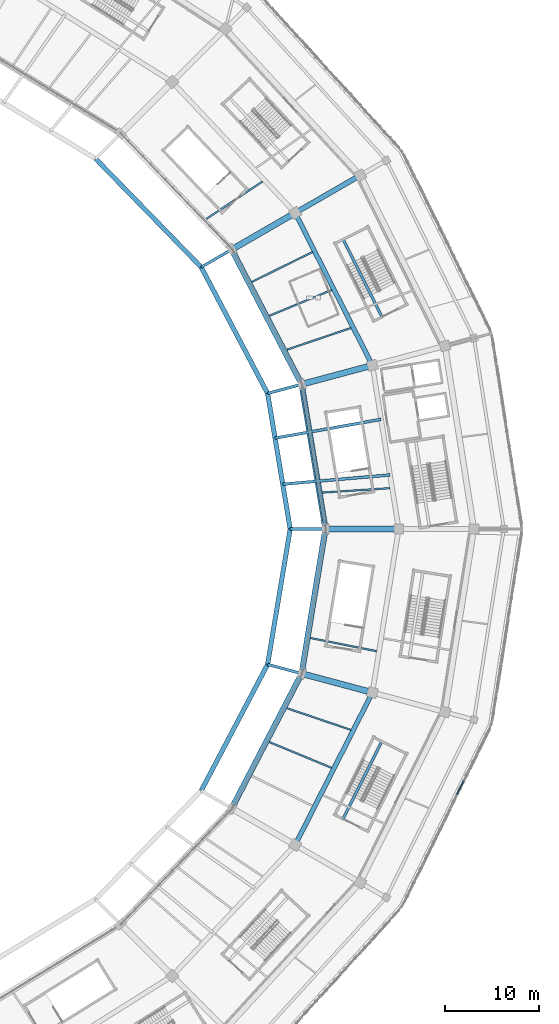
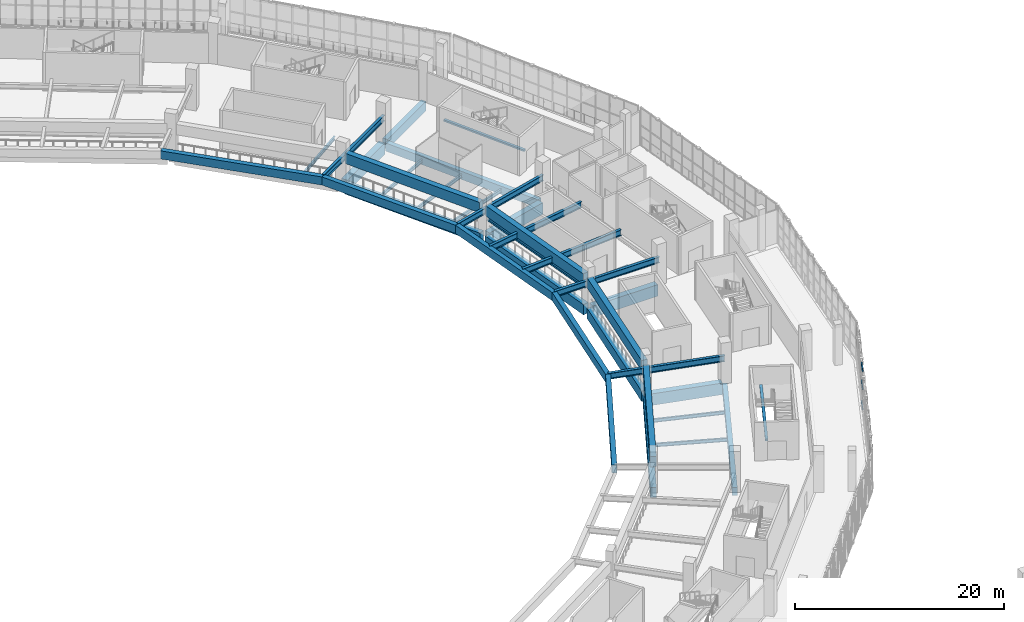
# One storey, part 40 of 179: 37 beams, 3 members, 1 element without a shape of its own.
"""IFC4 building model written with IfcOpenShell, lengths in metres."""

from ifc_helpers import new_model, si_unit, direction, frame, origin, origin_2d, place, context, subcontext, project, spatial, rectangle, i_section, extrude, material, material_profile, profile_set, type_object, element, aggregate, save


model = new_model("IFC4")

# Units and contexts
model_context = context("Model", 3, precision=1e-05, world=origin(), true_north=direction((0.0, 1.0)))
body_context = subcontext(model_context, "Body", "Model", "MODEL_VIEW")
ifc_project = project(units=[si_unit("LENGTHUNIT", "METRE"), si_unit("AREAUNIT", "SQUARE_METRE"), si_unit("VOLUMEUNIT", "CUBIC_METRE"), si_unit("PLANEANGLEUNIT", "RADIAN"), si_unit("MASSUNIT", "GRAM", prefix="KILO")], contexts=[model_context])

# Site, building, storey
site_placement = place(None, origin())
site = spatial("IfcSite", under=ifc_project, at=site_placement, CompositionType="ELEMENT")
building_placement = place(site_placement, origin())
building = spatial("IfcBuilding", under=site, at=building_placement, Name="Zevraka Park Crest Stadium", CompositionType="ELEMENT")
storey_placement = place(building_placement, frame((0.0, 0.0, 10.199951171875)))
storey = spatial("IfcBuildingStorey", under=building, at=storey_placement, Name="L02", CompositionType="ELEMENT", Elevation=10.199951171875)

# Beams
ifc_material_1 = material(Name="Concrete C40/50", Category="concrete")
ifc_material_profile_1 = material_profile(ifc_material_1, rectangle(XDim=0.64990234375, YDim=1.35009765625, at=origin_2d()), Name="RC 1350x650")
ifc_profile_set_1 = profile_set([ifc_material_profile_1], Name="Concrete C40/50")
beam_type_1 = type_object("IfcBeamType", Name="BG01", PredefinedType="BEAM", material=ifc_profile_set_1)
beam_1_placement = place(storey_placement, frame((186.800048828125, 92.0, -0.68505859375), z_axis=(1.0, 0.0, 0.0), x_axis=(0.0, 1.0, 0.0)))
element("IfcBeam", 1, at=beam_1_placement, inside=storey, type_object=beam_type_1, Name="Radial Girder BG01 L02-BC-00", PredefinedType="BEAM", context=body_context, shape_type="SweptSolid", body=[
    extrude(rectangle(XDim=0.64990234375, YDim=1.35009765625, at=origin_2d()), origin(), (0.0, 0.0, 1.0), 7.199951171875),
])
beam_2_placement = place(storey_placement, frame((184.2509765625, 107.47802734375, -0.68505859375), z_axis=(0.965945630245, 0.258745124417, 0.0), x_axis=(-0.258745124417, 0.965945630245, 0.0)))
element("IfcBeam", 2, at=beam_2_placement, inside=storey, type_object=beam_type_1, Name="Radial Girder BG01 L02-BC-01", PredefinedType="BEAM", context=body_context, shape_type="SweptSolid", body=[
    extrude(rectangle(XDim=0.64990234375, YDim=1.35009765625, at=origin_2d()), origin(), (0.0, 0.0, 1.0), 7.2001953125),
])
beam_3_placement = place(storey_placement, frame((176.779052734375, 121.89990234375, -0.68505859375), z_axis=(0.866001485781, 0.500041424909, 0.0), x_axis=(-0.500041424909, 0.866001485781, 0.0)))
element("IfcBeam", 3, at=beam_3_placement, inside=storey, type_object=beam_type_1, Name="Radial Girder BG01 L02-BC-02", PredefinedType="BEAM", context=body_context, shape_type="SweptSolid", body=[
    extrude(rectangle(XDim=0.64990234375, YDim=1.35009765625, at=origin_2d()), origin(), (0.0, 0.0, 1.0), 7.19970703125),
])
beam_4_placement = place(storey_placement, frame((184.2509765625, 76.52197265625, -0.68505859375), z_axis=(0.965945630245, -0.258745124417, 0.0), x_axis=(0.258745124417, 0.965945630245, 0.0)))
element("IfcBeam", 4, at=beam_4_placement, inside=storey, type_object=beam_type_1, Name="Radial Girder BG01 L02-BC-23", PredefinedType="BEAM", context=body_context, shape_type="SweptSolid", body=[
    extrude(rectangle(XDim=0.64990234375, YDim=1.35009765625, at=origin_2d()), origin(), (0.0, 0.0, 1.0), 7.2001953125),
])
ifc_material_2 = material(Name="Concrete C40/50", Category="concrete")
ifc_material_profile_2 = material_profile(ifc_material_2, rectangle(XDim=0.550048828125, YDim=1.10009765625, at=origin_2d()), Name="RC 1100x550")
ifc_profile_set_2 = profile_set([ifc_material_profile_2], Name="Concrete C40/50")
beam_type_2 = type_object("IfcBeamType", Name="BG02", PredefinedType="BEAM", material=ifc_profile_set_2)
beam_5_placement = place(storey_placement, frame((183.533935546875, 125.800048828125, -0.56005859375), z_axis=(0.86600700885, 0.500031859608, 0.0), x_axis=(-0.500031859608, 0.86600700885, 0.0)))
element("IfcBeam", 5, at=beam_5_placement, inside=storey, type_object=beam_type_2, Name="Radial Girder BG02 L02-CD-02", PredefinedType="BEAM", context=body_context, shape_type="SweptSolid", body=[
    extrude(rectangle(XDim=0.550048828125, YDim=1.10009765625, at=origin_2d()), origin(), (0.0, 0.0, 1.0), 7.3994140625),
])
ifc_material_3 = material(Name="Steel S355", Category="steel")
ifc_material_profile_3 = material_profile(ifc_material_3, i_section(OverallWidth=0.300048828125, OverallDepth=0.699951171875, WebThickness=0.01708984375, FlangeThickness=0.031982421875, at=origin_2d()), Name="HEB 700")
ifc_profile_set_3 = profile_set([ifc_material_profile_3], Name="Steel S355")
beam_type_3 = type_object("IfcBeamType", Name="BG06", PredefinedType="BEAM", material=ifc_profile_set_3)
beam_6_placement = place(storey_placement, frame((194.300048828125, 92.0, 2.670166015625), z_axis=(-1.0, 0.0, 0.0), x_axis=(0.0, -1.0, 0.0)))
element("IfcBeam", 6, at=beam_6_placement, inside=storey, type_object=beam_type_3, Name="Upper Tier Back-Spanned Cantilever Girder BG06 00", PredefinedType="BEAM", context=body_context, shape_type="SweptSolid", body=[
    extrude(i_section(OverallWidth=0.300048828125, OverallDepth=0.699951171875, WebThickness=0.01708984375, FlangeThickness=0.031982421875, at=origin_2d()), origin(), (0.0, 0.0, 1.0), 11.550048828125),
])
beam_7_placement = place(storey_placement, frame((193.375, 97.748046875, 2.670166015625), z_axis=(-0.996293385693, -0.086020286123, 0.0), x_axis=(0.086020286123, -0.996293385693, 0.0)))
element("IfcBeam", 7, at=beam_7_placement, inside=storey, type_object=beam_type_3, Name="Upper Tier Vomitory Cantilever Girder BG06 00-V1", PredefinedType="BEAM", context=body_context, shape_type="SweptSolid", body=[
    extrude(i_section(OverallWidth=0.300048828125, OverallDepth=0.699951171875, WebThickness=0.01708984375, FlangeThickness=0.031982421875, at=origin_2d()), origin(), (0.0, 0.0, 1.0), 11.46337890625),
])
beam_8_placement = place(storey_placement, frame((192.4208984375, 103.6708984375, 2.670166015625), z_axis=(-0.984599680197, -0.17482411091, 0.0), x_axis=(0.17482411091, -0.984599680197, 0.0)))
element("IfcBeam", 8, at=beam_8_placement, inside=storey, type_object=beam_type_3, Name="Upper Tier Vomitory Cantilever Girder BG06 00-V2", PredefinedType="BEAM", context=body_context, shape_type="SweptSolid", body=[
    extrude(i_section(OverallWidth=0.300048828125, OverallDepth=0.699951171875, WebThickness=0.01708984375, FlangeThickness=0.031982421875, at=origin_2d()), origin(), (0.0, 0.0, 1.0), 11.46240234375),
])
beam_9_placement = place(storey_placement, frame((191.49609375, 109.4189453125, 2.670166015625), z_axis=(-0.965915310866, -0.258858286006, 0.0), x_axis=(0.258858286006, -0.965915310866, 0.0)))
element("IfcBeam", 9, at=beam_9_placement, inside=storey, type_object=beam_type_3, Name="Upper Tier Back-Spanned Cantilever Girder BG06 01", PredefinedType="BEAM", context=body_context, shape_type="SweptSolid", body=[
    extrude(i_section(OverallWidth=0.300048828125, OverallDepth=0.699951171875, WebThickness=0.01708984375, FlangeThickness=0.031982421875, at=origin_2d()), origin(), (0.0, 0.0, 1.0), 11.55078125),
])
beam_10_placement = place(storey_placement, frame((183.27392578125, 125.64990234375, 2.670166015625), z_axis=(-0.866036343161, -0.499981051965, 0.0), x_axis=(0.499981051965, -0.866036343161, 0.0)))
element("IfcBeam", 10, at=beam_10_placement, inside=storey, type_object=beam_type_3, Name="Upper Tier Back-Spanned Cantilever Girder BG06 02", PredefinedType="BEAM", context=body_context, shape_type="SweptSolid", body=[
    extrude(i_section(OverallWidth=0.300048828125, OverallDepth=0.699951171875, WebThickness=0.01708984375, FlangeThickness=0.031982421875, at=origin_2d()), origin(), (0.0, 0.0, 1.0), 11.55029296875),
])
beam_11_placement = place(storey_placement, frame((191.49609375, 74.5810546875, 2.670166015625), z_axis=(-0.965915310866, 0.258858286006, 0.0), x_axis=(-0.258858286006, -0.965915310866, 0.0)))
element("IfcBeam", 11, at=beam_11_placement, inside=storey, type_object=beam_type_3, Name="Upper Tier Back-Spanned Cantilever Girder BG06 23", PredefinedType="BEAM", context=body_context, shape_type="SweptSolid", body=[
    extrude(i_section(OverallWidth=0.300048828125, OverallDepth=0.699951171875, WebThickness=0.01708984375, FlangeThickness=0.031982421875, at=origin_2d()), origin(), (0.0, 0.0, 1.0), 11.55078125),
])

# Curtain wall, members
ifc_material_4 = material(Name="Anodised architectural aluminium and laminated safety glass", Category="aluminium")
curtain_wall_type = type_object("IfcCurtainWallType", Name="CW07", PredefinedType="NOTDEFINED", material=ifc_material_4)
curtain_wall_placement = place(storey_placement, origin())
curtain_wall = element("IfcCurtainWall", 12, at=curtain_wall_placement, inside=storey, type_object=curtain_wall_type, Name="Unitised Ring Curtain Wall CW07 L02-22", PredefinedType="NOTDEFINED")
ifc_material_5 = material(Name="Anodised architectural aluminium", Category="aluminium")
ifc_material_profile_4 = material_profile(ifc_material_5, rectangle(XDim=0.1201171875, YDim=0.06005859375, at=origin_2d()), Name="ALU TRANSOM 120x60")
ifc_profile_set_4 = profile_set([ifc_material_profile_4], Name="Anodised architectural aluminium")
member_type = type_object("IfcMemberType", Name="CT01", PredefinedType="USERDEFINED", material=ifc_profile_set_4)
member_1_placement = place(storey_placement, frame((200.50341796875, 63.731201171875, 0.030029296875), z_axis=(0.440969299006, 0.897522187656, 0.0), x_axis=(-0.897522187656, 0.440969299006, 0.0)))
member_1 = element("IfcMember", 13, at=member_1_placement, type_object=member_type, Name="CW07 transom 9.1", ObjectType="TRANSOM", PredefinedType="USERDEFINED", context=body_context, shape_type="SweptSolid", body=[
    extrude(rectangle(XDim=0.1201171875, YDim=0.06005859375, at=origin_2d()), origin(), (0.0, 0.0, 1.0), 1.582275390625),
])
member_2_placement = place(storey_placement, frame((200.50341796875, 63.731201171875, 2.400146484375), z_axis=(0.440969299006, 0.897522187656, 0.0), x_axis=(-0.897522187656, 0.440969299006, 0.0)))
member_2 = element("IfcMember", 14, at=member_2_placement, type_object=member_type, Name="CW07 transom 9.2", ObjectType="TRANSOM", PredefinedType="USERDEFINED", context=body_context, shape_type="SweptSolid", body=[
    extrude(rectangle(XDim=0.1201171875, YDim=0.06005859375, at=origin_2d()), origin(), (0.0, 0.0, 1.0), 1.582275390625),
])
member_3_placement = place(storey_placement, frame((200.50341796875, 63.731201171875, 4.469970703125), z_axis=(0.440969299006, 0.897522187656, 0.0), x_axis=(-0.897522187656, 0.440969299006, 0.0)))
member_3 = element("IfcMember", 15, at=member_3_placement, type_object=member_type, Name="CW07 transom 9.3", ObjectType="TRANSOM", PredefinedType="USERDEFINED", context=body_context, shape_type="SweptSolid", body=[
    extrude(rectangle(XDim=0.1201171875, YDim=0.06005859375, at=origin_2d()), origin(), (0.0, 0.0, 1.0), 1.582275390625),
])
aggregate(curtain_wall, [member_1, member_2, member_3])

# Beams
ifc_material_6 = material(Name="Concrete C40/50", Category="concrete")
ifc_material_profile_5 = material_profile(ifc_material_6, rectangle(XDim=0.60009765625, YDim=1.199951171875, at=origin_2d()), Name="RC 1200x600")
ifc_profile_set_5 = profile_set([ifc_material_profile_5], Name="Concrete C40/50")
beam_type_4 = type_object("IfcBeamType", Name="RB01", PredefinedType="BEAM", material=ifc_profile_set_5)
beam_12_placement = place(storey_placement, frame((186.43798828125, 92.375, -0.60986328125), z_axis=(-0.162654875862, 0.986683024764, 0.0), x_axis=(-0.986683024764, -0.162654875862, 0.0)))
element("IfcBeam", 16, at=beam_12_placement, inside=storey, type_object=beam_type_4, Name="Ring Beam RB01 L02-B-00", PredefinedType="BEAM", context=body_context, shape_type="SweptSolid", body=[
    extrude(rectangle(XDim=0.60009765625, YDim=1.199951171875, at=origin_2d()), origin(), (0.0, 0.0, 1.0), 14.84765625),
])
for number, where, z_axis, x_axis, name in (
    (17, (183.785888671875, 107.737060546875, -0.60986328125), (-0.460343993973, 0.887740619333, 0.0), (-0.887740619333, -0.460343993973, 0.0), "Ring Beam RB01 L02-B-01"),
    (18, (176.694091796875, 62.5869140625, -0.60986328125), (0.460343993973, 0.887740619333, 0.0), (-0.887740619333, 0.460343993973, 0.0), "Ring Beam RB01 L02-B-22"),
):
    element("IfcBeam", number, at=place(storey_placement, frame(where, z_axis=z_axis, x_axis=x_axis)), inside=storey, type_object=beam_type_4, Name=name, PredefinedType="BEAM", context=body_context, shape_type="SweptSolid", body=[
        extrude(rectangle(XDim=0.60009765625, YDim=1.199951171875, at=origin_2d()), origin(), (0.0, 0.0, 1.0), 15.405517578125),
    ])
beam_13_placement = place(storey_placement, frame((184.02294921875, 76.97509765625, -0.60986328125), z_axis=(0.162654875862, 0.986683024764, 0.0), x_axis=(-0.986683024764, 0.162654875862, 0.0)))
element("IfcBeam", 19, at=beam_13_placement, inside=storey, type_object=beam_type_4, Name="Ring Beam RB01 L02-B-23", PredefinedType="BEAM", context=body_context, shape_type="SweptSolid", body=[
    extrude(rectangle(XDim=0.60009765625, YDim=1.199951171875, at=origin_2d()), origin(), (0.0, 0.0, 1.0), 14.84765625),
])
beam_14_placement = place(storey_placement, frame((186.431884765625, 92.4140625, 2.965087890625), z_axis=(-0.162696512919, 0.986676159986, 0.0), x_axis=(-0.986676159986, -0.162696512919, 0.0)))
element("IfcBeam", 20, at=beam_14_placement, inside=storey, type_object=beam_type_4, Name="Upper Tier Fulcrum Raker Ring Beam RB01 00", PredefinedType="BEAM", context=body_context, shape_type="SweptSolid", body=[
    extrude(rectangle(XDim=0.60009765625, YDim=1.199951171875, at=origin_2d()), origin(), (0.0, 0.0, 1.0), 14.768798828125),
])
for number, where, z_axis, x_axis, name in (
    (21, (183.76806640625, 107.77294921875, 2.965087890625), (-0.460431552282, 0.887695209891, 0.0), (-0.887695209891, -0.460431552282, 0.0), "Upper Tier Fulcrum Raker Ring Beam RB01 01"),
    (22, (176.7119140625, 62.623046875, 2.965087890625), (0.460431552282, 0.887695209891, 0.0), (-0.887695209891, 0.460431552282, 0.0), "Upper Tier Fulcrum Raker Ring Beam RB01 22"),
):
    element("IfcBeam", number, at=place(storey_placement, frame(where, z_axis=z_axis, x_axis=x_axis)), inside=storey, type_object=beam_type_4, Name=name, PredefinedType="BEAM", context=body_context, shape_type="SweptSolid", body=[
        extrude(rectangle(XDim=0.60009765625, YDim=1.199951171875, at=origin_2d()), origin(), (0.0, 0.0, 1.0), 15.3251953125),
    ])
beam_15_placement = place(storey_placement, frame((184.029052734375, 77.013916015625, 2.965087890625), z_axis=(0.162696512919, 0.986676159986, 0.0), x_axis=(-0.986676159986, 0.162696512919, 0.0)))
element("IfcBeam", 23, at=beam_15_placement, inside=storey, type_object=beam_type_4, Name="Upper Tier Fulcrum Raker Ring Beam RB01 23", PredefinedType="BEAM", context=body_context, shape_type="SweptSolid", body=[
    extrude(rectangle(XDim=0.60009765625, YDim=1.199951171875, at=origin_2d()), origin(), (0.0, 0.0, 1.0), 14.768798828125),
])
ifc_material_7 = material(Name="Concrete C40/50", Category="concrete")
ifc_material_profile_6 = material_profile(ifc_material_7, rectangle(XDim=0.5, YDim=0.949951171875, at=origin_2d()), Name="RC 950x500")
ifc_profile_set_6 = profile_set([ifc_material_profile_6], Name="Concrete C40/50")
beam_type_5 = type_object("IfcBeamType", Name="RB02", PredefinedType="BEAM", material=ifc_profile_set_6)
for number, where, z_axis, x_axis, name in (
    (24, (191.323974609375, 109.758056640625, -0.48486328125), (-0.451862275442, 0.892087710953, 0.0), (-0.892087710953, -0.451862275442, 0.0), "Ring Beam RB02 L02-C-01"),
    (25, (183.446044921875, 58.68896484375, -0.48486328125), (0.451862275442, 0.892087710953, 0.0), (-0.892087710953, 0.451862275442, 0.0), "Ring Beam RB02 L02-C-22"),
):
    element("IfcBeam", number, at=place(storey_placement, frame(where, z_axis=z_axis, x_axis=x_axis)), inside=storey, type_object=beam_type_5, Name=name, PredefinedType="BEAM", context=body_context, shape_type="SweptSolid", body=[
        extrude(rectangle(XDim=0.5, YDim=0.949951171875, at=origin_2d()), origin(), (0.0, 0.0, 1.0), 17.434326171875),
    ])
beam_16_placement = place(storey_placement, frame((182.748046875, 92.010009765625, 2.400146484375), z_axis=(-0.164764836021, 0.986332879312, 0.0), x_axis=(-0.986332879312, -0.164764836021, 0.0)))
element("IfcBeam", 26, at=beam_16_placement, inside=storey, type_object=beam_type_5, Name="Upper Tier Front Nose Ring Beam RB02 00", PredefinedType="BEAM", context=body_context, shape_type="SweptSolid", body=[
    extrude(rectangle(XDim=0.5, YDim=0.949951171875, at=origin_2d()), origin(), (0.0, 0.0, 1.0), 14.608642578125),
])
beam_17_placement = place(storey_placement, frame((180.333984375, 106.43798828125, 2.400146484375), z_axis=(-0.465268790647, 0.885169448439, 0.0), x_axis=(-0.885169448439, -0.465268790647, 0.0)))
element("IfcBeam", 27, at=beam_17_placement, inside=storey, type_object=beam_type_5, Name="Upper Tier Front Nose Ring Beam RB02 01", PredefinedType="BEAM", context=body_context, shape_type="SweptSolid", body=[
    extrude(rectangle(XDim=0.5, YDim=0.949951171875, at=origin_2d()), origin(), (0.0, 0.0, 1.0), 15.169921875),
])
beam_18_placement = place(storey_placement, frame((173.263916015625, 119.882080078125, 2.400146484375), z_axis=(-0.697632460191, 0.716455825915, 0.0), x_axis=(-0.716455825915, -0.697632460191, 0.0)))
element("IfcBeam", 28, at=beam_18_placement, inside=storey, type_object=beam_type_5, Name="Upper Tier Front Nose Ring Beam RB02 02", PredefinedType="BEAM", context=body_context, shape_type="SweptSolid", body=[
    extrude(rectangle(XDim=0.5, YDim=0.949951171875, at=origin_2d()), origin(), (0.0, 0.0, 1.0), 16.095947265625),
])
beam_19_placement = place(storey_placement, frame((173.27587890625, 64.134033203125, 2.400146484375), z_axis=(0.465268790647, 0.885169448439, 0.0), x_axis=(-0.885169448439, 0.465268790647, 0.0)))
element("IfcBeam", 29, at=beam_19_placement, inside=storey, type_object=beam_type_5, Name="Upper Tier Front Nose Ring Beam RB02 22", PredefinedType="BEAM", context=body_context, shape_type="SweptSolid", body=[
    extrude(rectangle(XDim=0.5, YDim=0.949951171875, at=origin_2d()), origin(), (0.0, 0.0, 1.0), 15.169921875),
])
beam_20_placement = place(storey_placement, frame((180.341064453125, 77.5810546875, 2.400146484375), z_axis=(0.164764836021, 0.986332879312, 0.0), x_axis=(-0.986332879312, 0.164764836021, 0.0)))
element("IfcBeam", 30, at=beam_20_placement, inside=storey, type_object=beam_type_5, Name="Upper Tier Front Nose Ring Beam RB02 23", PredefinedType="BEAM", context=body_context, shape_type="SweptSolid", body=[
    extrude(rectangle(XDim=0.5, YDim=0.949951171875, at=origin_2d()), origin(), (0.0, 0.0, 1.0), 14.608642578125),
])
ifc_material_8 = material(Name="Steel S355", Category="steel")
ifc_material_profile_7 = material_profile(ifc_material_8, i_section(OverallWidth=0.300048828125, OverallDepth=0.550048828125, WebThickness=0.014892578125, FlangeThickness=0.029052734375, at=origin_2d()), Name="HEB 550")
ifc_profile_set_7 = profile_set([ifc_material_profile_7], Name="Steel S355")
beam_type_6 = type_object("IfcBeamType", Name="RB04", PredefinedType="BEAM", material=ifc_profile_set_7)
beam_21_placement = place(storey_placement, frame((186.43505859375, 92.39501953125, 2.047119140625), z_axis=(-0.16270359973, 0.98667499139, 0.0), x_axis=(-0.98667499139, -0.16270359973, 0.0)))
element("IfcBeam", 31, at=beam_21_placement, inside=storey, type_object=beam_type_6, Name="Vomitory Cantilever Fulcrum Support Beam RB04 00", PredefinedType="BEAM", context=body_context, shape_type="SweptSolid", body=[
    extrude(i_section(OverallWidth=0.300048828125, OverallDepth=0.550048828125, WebThickness=0.014892578125, FlangeThickness=0.029052734375, at=origin_2d()), origin(), (0.0, 0.0, 1.0), 14.80712890625),
])
ifc_material_9 = material(Name="Steel S355", Category="steel")
ifc_material_profile_8 = material_profile(ifc_material_9, i_section(OverallWidth=0.179931640625, OverallDepth=0.39990234375, WebThickness=0.008544921875, FlangeThickness=0.013427734375, at=origin_2d()), Name="IPE 400")
ifc_profile_set_8 = profile_set([ifc_material_profile_8], Name="Steel S355")
beam_type_7 = type_object("IfcBeamType", Name="SJ09", PredefinedType="JOIST", material=ifc_profile_set_8)
beam_22_placement = place(storey_placement, frame((186.179931640625, 95.87109375, -0.488037109375), z_axis=(0.997879386875, 0.065090162464, 0.0), x_axis=(-0.065090162464, 0.997879386875, 0.0)))
element("IfcBeam", 32, at=beam_22_placement, inside=storey, type_object=beam_type_7, Name="Floor Joist SJ09 L02-BC-00-1", PredefinedType="JOIST", context=body_context, shape_type="SweptSolid", body=[
    extrude(i_section(OverallWidth=0.179931640625, OverallDepth=0.39990234375, WebThickness=0.008544921875, FlangeThickness=0.013427734375, at=origin_2d()), origin(), (0.0, 0.0, 1.0), 7.190185546875),
])
beam_23_placement = place(storey_placement, frame((182.39892578125, 111.089111328125, -0.488037109375), z_axis=(0.947037352852, 0.321123422227, 0.0), x_axis=(-0.321123422227, 0.947037352852, 0.0)))
element("IfcBeam", 33, at=beam_23_placement, inside=storey, type_object=beam_type_7, Name="Floor Joist SJ09 L02-BC-01-1", PredefinedType="JOIST", context=body_context, shape_type="SweptSolid", body=[
    extrude(i_section(OverallWidth=0.179931640625, OverallDepth=0.39990234375, WebThickness=0.008544921875, FlangeThickness=0.013427734375, at=origin_2d()), origin(), (0.0, 0.0, 1.0), 7.18994140625),
])
beam_24_placement = place(storey_placement, frame((180.531005859375, 114.696044921875, -0.488037109375), z_axis=(0.923904434651, 0.382623307749, 0.0), x_axis=(-0.382623307749, 0.923904434651, 0.0)))
element("IfcBeam", 34, at=beam_24_placement, inside=storey, type_object=beam_type_7, Name="Floor Joist SJ09 L02-BC-01-2", PredefinedType="JOIST", context=body_context, shape_type="SweptSolid", body=[
    extrude(i_section(OverallWidth=0.179931640625, OverallDepth=0.39990234375, WebThickness=0.008544921875, FlangeThickness=0.013427734375, at=origin_2d()), origin(), (0.0, 0.0, 1.0), 7.173828125),
])
beam_25_placement = place(storey_placement, frame((178.662109375, 118.302001953125, -0.488037109375), z_axis=(0.89675774001, 0.442521813849, 0.0), x_axis=(-0.442521813849, 0.89675774001, 0.0)))
element("IfcBeam", 35, at=beam_25_placement, inside=storey, type_object=beam_type_7, Name="Floor Joist SJ09 L02-BC-01-3", PredefinedType="JOIST", context=body_context, shape_type="SweptSolid", body=[
    extrude(i_section(OverallWidth=0.179931640625, OverallDepth=0.39990234375, WebThickness=0.008544921875, FlangeThickness=0.013427734375, at=origin_2d()), origin(), (0.0, 0.0, 1.0), 7.1904296875),
])
beam_26_placement = place(storey_placement, frame((173.821044921875, 125.006103515625, -0.488037109375), z_axis=(0.831668706104, 0.55527215245, 0.0), x_axis=(-0.55527215245, 0.831668706104, 0.0)))
element("IfcBeam", 36, at=beam_26_placement, inside=storey, type_object=beam_type_7, Name="Floor Joist SJ09 L02-BC-02-1", PredefinedType="JOIST", context=body_context, shape_type="SweptSolid", body=[
    extrude(i_section(OverallWidth=0.179931640625, OverallDepth=0.39990234375, WebThickness=0.008544921875, FlangeThickness=0.013427734375, at=origin_2d()), origin(), (0.0, 0.0, 1.0), 7.189208984375),
])
beam_27_placement = place(storey_placement, frame((180.531005859375, 69.303955078125, -0.488037109375), z_axis=(0.923904434651, -0.382623307749, 0.0), x_axis=(0.382623307749, 0.923904434651, 0.0)))
element("IfcBeam", 37, at=beam_27_placement, inside=storey, type_object=beam_type_7, Name="Floor Joist SJ09 L02-BC-22-2", PredefinedType="JOIST", context=body_context, shape_type="SweptSolid", body=[
    extrude(i_section(OverallWidth=0.179931640625, OverallDepth=0.39990234375, WebThickness=0.008544921875, FlangeThickness=0.013427734375, at=origin_2d()), origin(), (0.0, 0.0, 1.0), 7.173828125),
])
beam_28_placement = place(storey_placement, frame((182.39892578125, 72.910888671875, -0.488037109375), z_axis=(0.947037352852, -0.321123422227, 0.0), x_axis=(0.321123422227, 0.947037352852, 0.0)))
element("IfcBeam", 38, at=beam_28_placement, inside=storey, type_object=beam_type_7, Name="Floor Joist SJ09 L02-BC-22-3", PredefinedType="JOIST", context=body_context, shape_type="SweptSolid", body=[
    extrude(i_section(OverallWidth=0.179931640625, OverallDepth=0.39990234375, WebThickness=0.008544921875, FlangeThickness=0.013427734375, at=origin_2d()), origin(), (0.0, 0.0, 1.0), 7.18994140625),
])
beam_29_placement = place(storey_placement, frame((184.905029296875, 80.387939453125, -0.488037109375), z_axis=(0.98075007635, -0.195267221364, 0.0), x_axis=(0.195267221364, 0.98075007635, 0.0)))
element("IfcBeam", 39, at=beam_29_placement, inside=storey, type_object=beam_type_7, Name="Floor Joist SJ09 L02-BC-23-1", PredefinedType="JOIST", context=body_context, shape_type="SweptSolid", body=[
    extrude(i_section(OverallWidth=0.179931640625, OverallDepth=0.39990234375, WebThickness=0.008544921875, FlangeThickness=0.013427734375, at=origin_2d()), origin(), (0.0, 0.0, 1.0), 7.1904296875),
])
ifc_material_10 = material(Name="Concrete C40/50", Category="concrete")
ifc_material_profile_9 = material_profile(ifc_material_10, rectangle(XDim=0.280029296875, YDim=0.199951171875, at=origin_2d()), Name="RC 200x280")
ifc_profile_set_9 = profile_set([ifc_material_profile_9], Name="Concrete C40/50")
beam_type_8 = type_object("IfcBeamType", Name="SJ13", PredefinedType="JOIST", material=ifc_profile_set_9)
beam_30_placement = place(storey_placement, frame((192.518798828125, 114.591552734375, 2.300048828125), z_axis=(-0.447920796254, 0.894073241006, 0.0), x_axis=(-0.894073241006, -0.447920796254, 0.0)))
element("IfcBeam", 40, at=beam_30_placement, inside=storey, type_object=beam_type_8, Name="Stair Upper-Flight Longitudinal Stringer SJ13 ST02-L02", PredefinedType="JOIST", context=body_context, shape_type="SweptSolid", body=[
    extrude(rectangle(XDim=0.280029296875, YDim=0.199951171875, at=origin_2d()), origin(), (0.0, 0.0, 1.0), 9.25),
])
beam_31_placement = place(storey_placement, frame((188.375244140625, 61.1376953125, 2.300048828125), z_axis=(0.447910267746, 0.894078515594, 0.0), x_axis=(-0.894078515594, 0.447910267746, 0.0)))
element("IfcBeam", 41, at=beam_31_placement, inside=storey, type_object=beam_type_8, Name="Stair Upper-Flight Longitudinal Stringer SJ13 ST23-L02", PredefinedType="JOIST", context=body_context, shape_type="SweptSolid", body=[
    extrude(rectangle(XDim=0.280029296875, YDim=0.199951171875, at=origin_2d()), origin(), (0.0, 0.0, 1.0), 9.249755859375),
])

save(model, "model.ifc")
